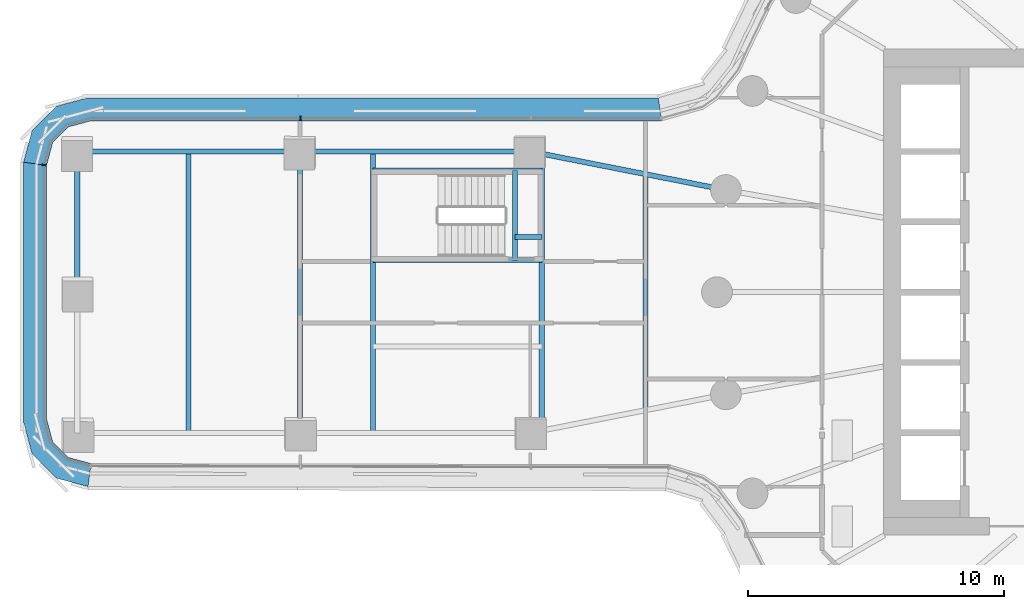
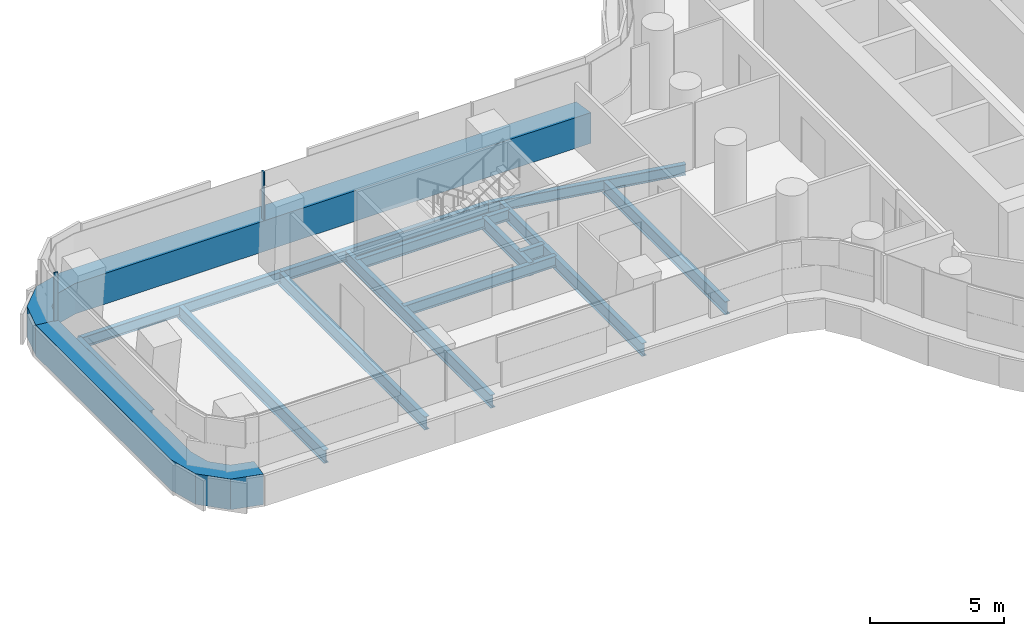
# One storey, part 6 of 32: 13 beams, 4 members, 2 elements without a shape of their own.
"""IFC4 building model written with IfcOpenShell, lengths in metres."""

from ifc_helpers import new_model, si_unit, direction, frame, origin, origin_2d, place, context, subcontext, project, spatial, polyline, rectangle, i_section, outline, extrude, material, layer, layer_set, material_profile, profile_set, type_object, element, aggregate, save


model = new_model("IFC4")

# Units and contexts
model_context = context("Model", 3, precision=1e-05, world=origin(), true_north=direction((0.0, 1.0)))
body_context = subcontext(model_context, "Body", "Model", "MODEL_VIEW")
ifc_project = project(units=[si_unit("LENGTHUNIT", "METRE"), si_unit("AREAUNIT", "SQUARE_METRE"), si_unit("VOLUMEUNIT", "CUBIC_METRE"), si_unit("PLANEANGLEUNIT", "RADIAN"), si_unit("MASSUNIT", "GRAM", prefix="KILO")], contexts=[model_context])

# Site, building, storey
site_placement = place(None, origin())
site = spatial("IfcSite", under=ifc_project, at=site_placement, CompositionType="ELEMENT")
building_placement = place(site_placement, origin())
building = spatial("IfcBuilding", under=site, at=building_placement, Name="Tamarind Cross Interchange Tower", CompositionType="ELEMENT")
storey_placement = place(building_placement, frame((0.0, 0.0, 34.0)))
storey = spatial("IfcBuildingStorey", under=building, at=storey_placement, Name="L06", CompositionType="ELEMENT", Elevation=34.0)

# Beams
ifc_material_1 = material(Name="Steel Q355B", Category="steel")
ifc_material_profile_1 = material_profile(ifc_material_1, i_section(OverallWidth=0.198974609375, OverallDepth=0.49609375, WebThickness=0.009033203125, FlangeThickness=0.013916015625, FilletRadius=0.012939453125, at=origin_2d()), Name="HN 496x199x9x14")
ifc_profile_set_1 = profile_set([ifc_material_profile_1], Name="Steel Q355B")
beam_type_1 = type_object("IfcBeamType", Name="Composite beam HN 496x199x9x14 Q355B", PredefinedType="BEAM", material=ifc_profile_set_1)
beam_1_placement = place(storey_placement, frame((-48.007568359375, 5.5, -0.387939453125), z_axis=(1.0, 0.0, 0.0), x_axis=(0.0, 1.0, 0.0)))
element("IfcBeam", 1, at=beam_1_placement, inside=storey, type_object=beam_type_1, Name="Beam W-edgeem5", PredefinedType="BEAM", context=body_context, shape_type="SweptSolid", body=[
    extrude(i_section(OverallWidth=0.198974609375, OverallDepth=0.49609375, WebThickness=0.009033203125, FlangeThickness=0.013916015625, FilletRadius=0.012939453125, at=origin_2d()), origin(), (0.0, 0.0, 1.0), 8.70751953125),
])
beam_2_placement = place(storey_placement, frame((-39.300048828125, 5.5, -0.387939453125), z_axis=(1.0, 0.0, 0.0), x_axis=(0.0, 1.0, 0.0)))
element("IfcBeam", 2, at=beam_2_placement, inside=storey, type_object=beam_type_1, Name="Beam W-edgeem6", PredefinedType="BEAM", context=body_context, shape_type="SweptSolid", body=[
    extrude(i_section(OverallWidth=0.198974609375, OverallDepth=0.49609375, WebThickness=0.009033203125, FlangeThickness=0.013916015625, FilletRadius=0.012939453125, at=origin_2d()), origin(), (0.0, 0.0, 1.0), 9.0),
])
beam_3_placement = place(storey_placement, frame((-30.300048828125, 5.5, -0.387939453125), z_axis=(0.981162844726, -0.193182484014, 0.0), x_axis=(0.193182484014, 0.981162844726, 0.0)))
element("IfcBeam", 3, at=beam_3_placement, inside=storey, type_object=beam_type_1, Name="Beam W-linkem", PredefinedType="BEAM", context=body_context, shape_type="SweptSolid", body=[
    extrude(i_section(OverallWidth=0.198974609375, OverallDepth=0.49609375, WebThickness=0.009033203125, FlangeThickness=0.013916015625, FilletRadius=0.012939453125, at=origin_2d()), origin(), (0.0, 0.0, 1.0), 7.79638671875),
])
for number, where, z_axis, x_axis, name in (
    (4, (-29.85009765625, 4.75, -0.387939453125), (-1.0, 0.0, 0.0), (0.0, -1.0, 0.0), "Beam W-tr0"),
    (5, (-29.85009765625, 1.25, -0.387939453125), (-1.0, 0.0, 0.0), (0.0, -1.0, 0.0), "Beam W-tr1"),
):
    element("IfcBeam", number, at=place(storey_placement, frame(where, z_axis=z_axis, x_axis=x_axis)), inside=storey, type_object=beam_type_1, Name=name, PredefinedType="BEAM", context=body_context, shape_type="SweptSolid", body=[
        extrude(i_section(OverallWidth=0.198974609375, OverallDepth=0.49609375, WebThickness=0.009033203125, FlangeThickness=0.013916015625, FilletRadius=0.012939453125, at=origin_2d()), origin(), (0.0, 0.0, 1.0), 6.599853515625),
    ])
ifc_material_profile_2 = material_profile(ifc_material_1, i_section(OverallWidth=0.199951171875, OverallDepth=0.60009765625, WebThickness=0.010986328125, FlangeThickness=0.01708984375, FilletRadius=0.012939453125, at=origin_2d()), Name="HN 600x200x11x17")
ifc_profile_set_2 = profile_set([ifc_material_profile_2], Name="Steel Q355B")
beam_type_2 = type_object("IfcBeamType", Name="Composite beam HN 600x200x11x17 Q355B", PredefinedType="BEAM", material=ifc_profile_set_2)
beam_4_placement = place(storey_placement, frame((-30.89990234375, 4.75, -0.43994140625), z_axis=(0.0, -1.0, 0.0), x_axis=(1.0, 0.0, 0.0)))
element("IfcBeam", 6, at=beam_4_placement, inside=storey, type_object=beam_type_2, Name="Beam W-isl0", PredefinedType="BEAM", context=body_context, shape_type="SweptSolid", body=[
    extrude(i_section(OverallWidth=0.199951171875, OverallDepth=0.60009765625, WebThickness=0.010986328125, FlangeThickness=0.01708984375, FilletRadius=0.012939453125, at=origin_2d()), origin(), (0.0, 0.0, 1.0), 3.5),
])
beam_5_placement = place(storey_placement, frame((-29.85009765625, 2.14990234375, -0.43994140625), z_axis=(-1.0, 0.0, 0.0), x_axis=(0.0, -1.0, 0.0)))
element("IfcBeam", 7, at=beam_5_placement, inside=storey, type_object=beam_type_2, Name="Beam W-isl1", PredefinedType="BEAM", context=body_context, shape_type="SweptSolid", body=[
    extrude(i_section(OverallWidth=0.199951171875, OverallDepth=0.60009765625, WebThickness=0.010986328125, FlangeThickness=0.01708984375, FilletRadius=0.012939453125, at=origin_2d()), origin(), (0.0, 0.0, 1.0), 1.0498046875),
])
beam_6_placement = place(storey_placement, frame((-48.007568359375, 5.5, -0.43994140625), z_axis=(0.0, -1.0, 0.0), x_axis=(1.0, 0.0, 0.0)))
element("IfcBeam", 8, at=beam_6_placement, inside=storey, type_object=beam_type_2, Name="Beam W-tip0", PredefinedType="BEAM", context=body_context, shape_type="SweptSolid", body=[
    extrude(i_section(OverallWidth=0.199951171875, OverallDepth=0.60009765625, WebThickness=0.010986328125, FlangeThickness=0.01708984375, FilletRadius=0.012939453125, at=origin_2d()), origin(), (0.0, 0.0, 1.0), 5.5),
])
beam_7_placement = place(storey_placement, frame((-29.85009765625, 5.411376953125, -0.43994140625), z_axis=(0.0, -1.0, 0.0), x_axis=(1.0, 0.0, 0.0)))
element("IfcBeam", 9, at=beam_7_placement, inside=storey, type_object=beam_type_2, Name="Beam W-x298", PredefinedType="BEAM", context=body_context, shape_type="SweptSolid", body=[
    extrude(i_section(OverallWidth=0.199951171875, OverallDepth=0.60009765625, WebThickness=0.010986328125, FlangeThickness=0.01708984375, FilletRadius=0.012939453125, at=origin_2d()), origin(), (0.0, 0.0, 1.0), 10.82275390625),
])
for number, where, z_axis, x_axis, name in (
    (10, (-36.449951171875, 5.5, -0.43994140625), (0.0, -1.0, 0.0), (1.0, 0.0, 0.0), "Beam W-x364"),
    (11, (-39.300048828125, 5.5, -0.43994140625), (0.0, -1.0, 0.0), (1.0, 0.0, 0.0), "Beam W-x393"),
):
    element("IfcBeam", number, at=place(storey_placement, frame(where, z_axis=z_axis, x_axis=x_axis)), inside=storey, type_object=beam_type_2, Name=name, PredefinedType="BEAM", context=body_context, shape_type="SweptSolid", body=[
        extrude(i_section(OverallWidth=0.199951171875, OverallDepth=0.60009765625, WebThickness=0.010986328125, FlangeThickness=0.01708984375, FilletRadius=0.012939453125, at=origin_2d()), origin(), (0.0, 0.0, 1.0), 11.0),
    ])
beam_8_placement = place(storey_placement, frame((-25.800048828125, 4.614013671875, -0.43994140625), z_axis=(0.0, -1.0, 0.0), x_axis=(1.0, 0.0, 0.0)))
element("IfcBeam", 12, at=beam_8_placement, inside=storey, type_object=beam_type_2, Name="Beam W-x258", PredefinedType="BEAM", context=body_context, shape_type="SweptSolid", body=[
    extrude(i_section(OverallWidth=0.199951171875, OverallDepth=0.60009765625, WebThickness=0.010986328125, FlangeThickness=0.01708984375, FilletRadius=0.012939453125, at=origin_2d()), origin(), (0.0, 0.0, 1.0), 9.22802734375),
])
beam_9_placement = place(storey_placement, frame((-43.65380859375, 5.5, -0.43994140625), z_axis=(0.0, -1.0, 0.0), x_axis=(1.0, 0.0, 0.0)))
element("IfcBeam", 13, at=beam_9_placement, inside=storey, type_object=beam_type_2, Name="Beam W-x437", PredefinedType="BEAM", context=body_context, shape_type="SweptSolid", body=[
    extrude(i_section(OverallWidth=0.199951171875, OverallDepth=0.60009765625, WebThickness=0.010986328125, FlangeThickness=0.01708984375, FilletRadius=0.012939453125, at=origin_2d()), origin(), (0.0, 0.0, 1.0), 11.0),
])

# Curtain wall, member
ifc_material_2 = material(Name="Aluminium 6063-T6", Category="aluminium")
ifc_layer = layer(ifc_material_2, 0.159912109375)
ifc_layer_set = layer_set([ifc_layer], Name="Aluminium 6063-T6")
curtain_wall_type = type_object("IfcCurtainWallType", Name="Office curtain wall, 9.0 m bays", PredefinedType="NOTDEFINED", material=ifc_layer_set)
curtain_wall_1_placement = place(storey_placement, origin())
curtain_wall_1 = element("IfcCurtainWall", 14, at=curtain_wall_1_placement, inside=storey, type_object=curtain_wall_type, Name="CWS-L06-00", PredefinedType="NOTDEFINED")
ifc_material_3 = material(Name="Aluminium and insulated spandrel panel", Category="aluminium")
member_type_1 = type_object("IfcMemberType", Name="Floor-edge blade transom", PredefinedType="USERDEFINED", material=ifc_material_3)
member_1_placement = place(storey_placement, origin())
member_1 = element("IfcMember", 15, at=member_1_placement, type_object=member_type_1, Name="CWT-L06-00", ObjectType="TRANSOM", PredefinedType="USERDEFINED", context=body_context, shape_type="SweptSolid", body=[
    extrude(outline(polyline([(-25.167724609375, 6.699951171875), (-47.468017578125, 6.699951171875), (-48.352294921875, 6.463134765625), (-48.970703125, 5.8447265625), (-49.20751953125, 4.96044921875), (-50.107666015625, 5.0791015625), (-49.777587890625, 6.310546875), (-48.818115234375, 7.27001953125), (-47.586669921875, 7.60009765625), (-25.291015625, 7.60009765625), (-25.167724609375, 6.699951171875)])), origin(), (0.0, 0.0, 1.0), 1.39990234375),
])

curtain_wall_2_placement = place(storey_placement, origin())
curtain_wall_2 = element("IfcCurtainWall", 16, at=curtain_wall_2_placement, inside=storey, type_object=curtain_wall_type, Name="CWS-L06-01", PredefinedType="NOTDEFINED")
member_2_placement = place(storey_placement, origin())
member_2 = element("IfcMember", 17, at=member_2_placement, type_object=member_type_1, Name="CWT-L06-01", ObjectType="TRANSOM", PredefinedType="USERDEFINED", context=body_context, shape_type="SweptSolid", body=[
    extrude(outline(polyline([(-49.20751953125, 4.96044921875), (-49.20751953125, -4.96044921875), (-48.970703125, -5.8447265625), (-48.352294921875, -6.463134765625), (-47.4677734375, -6.7001953125), (-47.587158203125, -7.599853515625), (-48.818115234375, -7.27001953125), (-49.777587890625, -6.310546875), (-50.107666015625, -5.0791015625), (-50.107666015625, 5.0791015625), (-49.20751953125, 4.96044921875)])), origin(), (0.0, 0.0, 1.0), 1.39990234375),
])

# Member
ifc_material_profile_3 = material_profile(ifc_material_2, rectangle(XDim=0.06005859375, YDim=0.159912109375, at=origin_2d()), Name="Mullion CW1")
ifc_profile_set_3 = profile_set([ifc_material_profile_3], Name="Aluminium 6063-T6")
member_type_2 = type_object("IfcMemberType", Name="Mullion CW1", PredefinedType="MULLION", material=ifc_profile_set_3)
member_3_placement = place(storey_placement, frame((-39.273193359375, 6.800048828125, 1.39990234375), z_axis=(0.0, 0.0, 1.0), x_axis=(-1.0, 0.0, 0.0)))
member_3 = element("IfcMember", 18, at=member_3_placement, type_object=member_type_2, Name="CWM-L06-00-02", PredefinedType="MULLION", context=body_context, shape_type="SweptSolid", body=[
    extrude(rectangle(XDim=0.06005859375, YDim=0.159912109375, at=origin_2d()), origin(), (0.0, 0.0, 1.0), 2.210205078125),
])

aggregate(curtain_wall_1, [member_3, member_1])

member_4_placement = place(storey_placement, frame((-49.3076171875, 4.9736328125, 1.39990234375), z_axis=(0.0, 0.0, 1.0), x_axis=(-0.13052619222, -0.991444861374, 0.0)))
member_4 = element("IfcMember", 19, at=member_4_placement, type_object=member_type_2, Name="CWM-L06-01-00", PredefinedType="MULLION", context=body_context, shape_type="SweptSolid", body=[
    extrude(rectangle(XDim=0.06005859375, YDim=0.159912109375, at=origin_2d()), origin(), (0.0, 0.0, 1.0), 2.210205078125),
])

aggregate(curtain_wall_2, [member_4, member_2])

save(model, "model.ifc")
